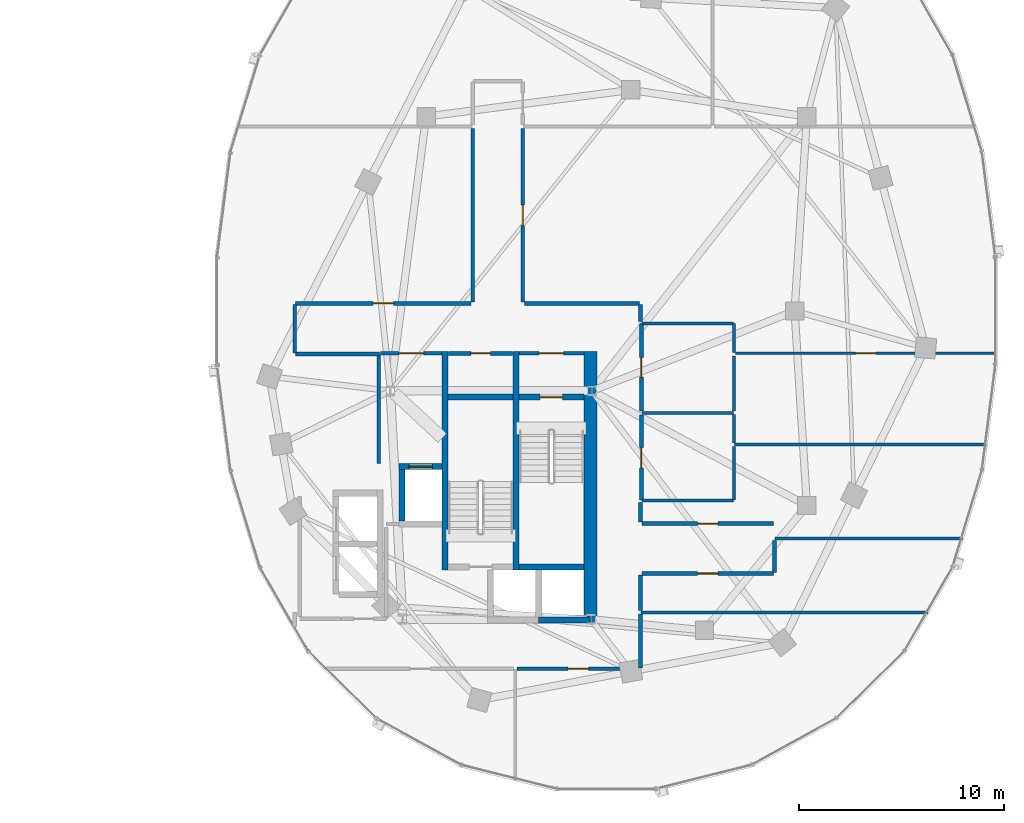
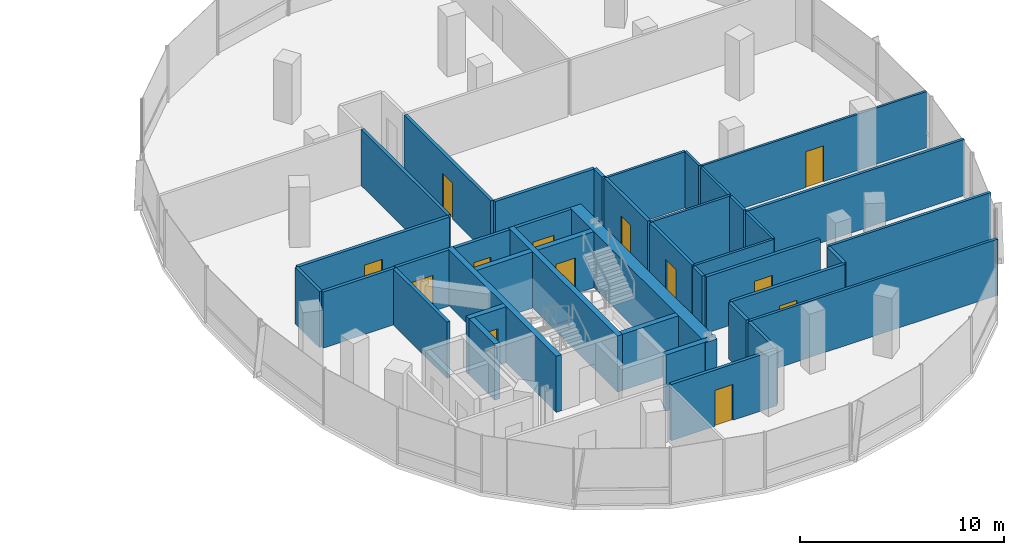
# One storey, part 14 of 22: 40 walls, 13 doors, 13 openings.
"""IFC4 building model written with IfcOpenShell, lengths in metres."""

from ifc_helpers import new_model, si_unit, direction, frame, frame_2d, origin, place, context, subcontext, project, spatial, rectangle, extrude, material, layer, layer_set, type_object, element, fill, save


model = new_model("IFC4")

# Units and contexts
model_context = context("Model", 3, precision=1e-05, world=origin(), true_north=direction((0.0, 1.0)))
body_context = subcontext(model_context, "Body", "Model", "MODEL_VIEW")
ifc_project = project(units=[si_unit("LENGTHUNIT", "METRE"), si_unit("AREAUNIT", "SQUARE_METRE"), si_unit("VOLUMEUNIT", "CUBIC_METRE"), si_unit("PLANEANGLEUNIT", "RADIAN"), si_unit("MASSUNIT", "GRAM", prefix="KILO"), si_unit("THERMODYNAMICTEMPERATUREUNIT", "KELVIN"), si_unit("POWERUNIT", "WATT")], contexts=[model_context])

# Site, building, storey
site_placement = place(None, origin())
site = spatial("IfcSite", under=ifc_project, at=site_placement, CompositionType="ELEMENT")
building_placement = place(site_placement, origin())
building = spatial("IfcBuilding", under=site, at=building_placement, Name="Cundina Bronze Exchange", CompositionType="ELEMENT")
storey_placement = place(building_placement, frame((0.0, 0.0, 147.60009765625)))
storey = spatial("IfcBuildingStorey", under=building, at=storey_placement, Name="L38", CompositionType="ELEMENT", Elevation=147.60009765625)

# Wall
ifc_material_1 = material(Name="Gypsum Fireboard Partition EI120")
ifc_layer_1 = layer(ifc_material_1, 0.179931640625, Name="Gypsum Fireboard Partition EI120")
ifc_layer_set_1 = layer_set([ifc_layer_1], Name="Gypsum Fireboard Partition EI120")
wall_type_1 = type_object("IfcWallType", Name="WL-COR-180", PredefinedType="PARTITIONING", material=ifc_layer_set_1)
wall_1_placement = place(storey_placement, frame((20.889892578125, -7.449951171875, 0.0), z_axis=(0.0, 0.0, 1.0), x_axis=(0.0, 1.0, 0.0)))
element("IfcWall", 1, at=wall_1_placement, inside=storey, type_object=wall_type_1, Name="L38 E Firefighting Lobby Side Wall", PredefinedType="PARTITIONING", context=body_context, shape_type="SweptSolid", body=[
    extrude(rectangle(XDim=5.300048828125, YDim=0.179931640625, at=frame_2d((2.64990234375, 0.0))), origin(), (0.0, 0.0, 1.0), 3.35986328125),
])

# Wall, opening, door
wall_2_placement = place(storey_placement, frame((20.97998046875, -2.06005859375, 0.0), z_axis=(0.0, 0.0, 1.0), x_axis=(1.0, 0.0, 0.0)))
wall_2 = element("IfcWall", 2, at=wall_2_placement, inside=storey, type_object=wall_type_1, Name="L38 E Firefighting Lobby Exit Wall", PredefinedType="PARTITIONING", context=body_context, shape_type="SweptSolid", body=[
    extrude(rectangle(XDim=3.0, YDim=0.179931640625, at=frame_2d((1.5, 0.0))), origin(), (0.0, 0.0, 1.0), 3.35986328125),
])
opening_1_placement = place(wall_2_placement, frame((0.89990234375, 0.0, 0.0)))
opening_1 = element("IfcOpeningElement", 3, at=opening_1_placement, cuts=wall_2, Name="Opening DF-01", PredefinedType="OPENING", context=body_context, shape_type="SweptSolid", body=[
    extrude(rectangle(XDim=1.199951171875, YDim=2.14990234375, at=frame_2d((0.60009765625, 1.074951171875))), frame((0.0, 0.099853515625, 0.0), z_axis=(0.0, -1.0, 0.0), x_axis=(1.0, 0.0, 0.0)), (0.0, 0.0, 1.0), 0.199951171875),
])
ifc_material_2 = material(Name="Steel ASTM A36 Painted", Category="steel")
door_type_1 = type_object("IfcDoorType", Name="DR-FFL-1200", OperationType="NOTDEFINED", PredefinedType="DOOR", material=ifc_material_2)
door_1_placement = place(opening_1_placement, origin())
door_1 = element("IfcDoor", 4, at=door_1_placement, inside=storey, type_object=door_type_1, Name="L38 E Firefighting Lobby Door", OperationType="SINGLE_SWING_LEFT", OverallHeight=2.14990234375, OverallWidth=1.199951171875, PredefinedType="DOOR", context=body_context, shape_type="SweptSolid", body=[
    extrude(rectangle(XDim=1.199951171875, YDim=2.14990234375, at=frame_2d((0.60009765625, 1.074951171875))), frame((0.0, 0.02490234375, 0.0), z_axis=(0.0, -1.0, 0.0), x_axis=(1.0, 0.0, 0.0)), (0.0, 0.0, 1.0), 0.050048828125),
])
fill(opening_1, door_1)

wall_3_placement = place(storey_placement, frame((27.739990234375, -2.06005859375, 0.0), z_axis=(0.0, 0.0, 1.0), x_axis=(1.0, 0.0, 0.0)))
wall_3 = element("IfcWall", 5, at=wall_3_placement, inside=storey, type_object=wall_type_1, Name="L38 E Stair Vestibule Exit Wall", PredefinedType="PARTITIONING", context=body_context, shape_type="SweptSolid", body=[
    extrude(rectangle(XDim=3.159912109375, YDim=0.179931640625, at=frame_2d((1.580078125, 0.0))), origin(), (0.0, 0.0, 1.0), 3.35986328125),
])
opening_2_placement = place(wall_3_placement, frame((0.97998046875, 0.0, 0.0)))
opening_2 = element("IfcOpeningElement", 6, at=opening_2_placement, cuts=wall_3, Name="Opening DF-01", PredefinedType="OPENING", context=body_context, shape_type="SweptSolid", body=[
    extrude(rectangle(XDim=1.199951171875, YDim=2.14990234375, at=frame_2d((0.60009765625, 1.074951171875))), frame((0.0, 0.099853515625, 0.0), z_axis=(0.0, -1.0, 0.0), x_axis=(1.0, 0.0, 0.0)), (0.0, 0.0, 1.0), 0.199951171875),
])
door_2_placement = place(opening_2_placement, origin())
door_2 = element("IfcDoor", 7, at=door_2_placement, inside=storey, type_object=door_type_1, Name="L38 E Stair Vestibule Door", OperationType="SINGLE_SWING_RIGHT", OverallHeight=2.14990234375, OverallWidth=1.199951171875, PredefinedType="DOOR", context=body_context, shape_type="SweptSolid", body=[
    extrude(rectangle(XDim=1.199951171875, YDim=2.14990234375, at=frame_2d((0.60009765625, 1.074951171875))), frame((0.0, 0.02490234375, 0.0), z_axis=(0.0, -1.0, 0.0), x_axis=(1.0, 0.0, 0.0)), (0.0, 0.0, 1.0), 0.050048828125),
])
fill(opening_2, door_2)

wall_4_placement = place(storey_placement, frame((24.300048828125, -2.070068359375, 0.0), z_axis=(0.0, 0.0, 1.0), x_axis=(1.0, 0.0, 0.0)))
wall_4 = element("IfcWall", 8, at=wall_4_placement, inside=storey, type_object=wall_type_1, Name="L38 Interior Partition 048", PredefinedType="PARTITIONING", context=body_context, shape_type="SweptSolid", body=[
    extrude(rectangle(XDim=3.119873046875, YDim=0.179931640625, at=frame_2d((1.56005859375, 0.0))), origin(), (0.0, 0.0, 1.0), 3.35986328125),
])
opening_3_placement = place(wall_4_placement, frame((1.0849609375, 0.0, 0.0)))
opening_3 = element("IfcOpeningElement", 9, at=opening_3_placement, cuts=wall_4, Name="Opening DW-01", PredefinedType="OPENING", context=body_context, shape_type="SweptSolid", body=[
    extrude(rectangle(XDim=0.949951171875, YDim=2.10009765625, at=frame_2d((0.47509765625, 1.050048828125))), frame((0.0, 0.099853515625, 0.0), z_axis=(0.0, -1.0, 0.0), x_axis=(1.0, 0.0, 0.0)), (0.0, 0.0, 1.0), 0.199951171875),
])
ifc_material_3 = material(Name="Solid Andean Oak Timber Grade A", Category="wood")
door_type_2 = type_object("IfcDoorType", Name="DR-WC-950", OperationType="NOTDEFINED", PredefinedType="DOOR", material=ifc_material_3)
door_3_placement = place(opening_3_placement, origin())
door_3 = element("IfcDoor", 10, at=door_3_placement, inside=storey, type_object=door_type_2, Name="L38 Interior Door 048", OperationType="SINGLE_SWING_RIGHT", OverallHeight=2.10009765625, OverallWidth=0.949951171875, PredefinedType="DOOR", context=body_context, shape_type="SweptSolid", body=[
    extrude(rectangle(XDim=0.949951171875, YDim=2.10009765625, at=frame_2d((0.47509765625, 1.050048828125))), frame((0.0, 0.02490234375, 0.0), z_axis=(0.0, -1.0, 0.0), x_axis=(1.0, 0.0, 0.0)), (0.0, 0.0, 1.0), 0.050048828125),
])
fill(opening_3, door_3)

wall_5_placement = place(storey_placement, frame((33.719970703125, -4.8798828125, 0.0), z_axis=(0.0, 0.0, 1.0), x_axis=(0.0, 1.0, 0.0)))
wall_5 = element("IfcWall", 11, at=wall_5_placement, inside=storey, type_object=wall_type_1, Name="L38 Interior Partition 056", PredefinedType="PARTITIONING", context=body_context, shape_type="SweptSolid", body=[
    extrude(rectangle(XDim=4.259765625, YDim=0.179931640625, at=frame_2d((2.1298828125, 0.0))), origin(), (0.0, 0.0, 1.0), 3.35986328125),
])
opening_4_placement = place(wall_5_placement, frame((1.655029296875, 0.0, 0.0)))
opening_4 = element("IfcOpeningElement", 12, at=opening_4_placement, cuts=wall_5, Name="Opening DW-01", PredefinedType="OPENING", context=body_context, shape_type="SweptSolid", body=[
    extrude(rectangle(XDim=0.949951171875, YDim=2.10009765625, at=frame_2d((0.47509765625, 1.050048828125))), frame((0.0, 0.099853515625, 0.0), z_axis=(0.0, -1.0, 0.0), x_axis=(1.0, 0.0, 0.0)), (0.0, 0.0, 1.0), 0.199951171875),
])
door_4_placement = place(opening_4_placement, origin())
door_4 = element("IfcDoor", 13, at=door_4_placement, inside=storey, type_object=door_type_2, Name="L38 Interior Door 056", OperationType="SINGLE_SWING_RIGHT", OverallHeight=2.10009765625, OverallWidth=0.949951171875, PredefinedType="DOOR", context=body_context, shape_type="SweptSolid", body=[
    extrude(rectangle(XDim=0.949951171875, YDim=2.10009765625, at=frame_2d((0.47509765625, 1.050048828125))), frame((0.0, 0.02490234375, 0.0), z_axis=(0.0, -1.0, 0.0), x_axis=(1.0, 0.0, 0.0)), (0.0, 0.0, 1.0), 0.050048828125),
])
fill(opening_4, door_4)

wall_6_placement = place(storey_placement, frame((33.719970703125, -9.239990234375, 0.0), z_axis=(0.0, 0.0, 1.0), x_axis=(0.0, 1.0, 0.0)))
wall_6 = element("IfcWall", 14, at=wall_6_placement, inside=storey, type_object=wall_type_1, Name="L38 Interior Partition 057", PredefinedType="PARTITIONING", context=body_context, shape_type="SweptSolid", body=[
    extrude(rectangle(XDim=4.159912109375, YDim=0.179931640625, at=frame_2d((2.080078125, 0.0))), origin(), (0.0, 0.0, 1.0), 3.35986328125),
])
opening_5_placement = place(wall_6_placement, frame((1.580078125, 0.0, 0.0)))
opening_5 = element("IfcOpeningElement", 15, at=opening_5_placement, cuts=wall_6, Name="Opening DO-01", PredefinedType="OPENING", context=body_context, shape_type="SweptSolid", body=[
    extrude(rectangle(XDim=1.0, YDim=2.14990234375, at=frame_2d((0.5, 1.074951171875))), frame((0.0, 0.099853515625, 0.0), z_axis=(0.0, -1.0, 0.0), x_axis=(1.0, 0.0, 0.0)), (0.0, 0.0, 1.0), 0.199951171875),
])
door_type_3 = type_object("IfcDoorType", Name="DR-OFF-1000", OperationType="NOTDEFINED", PredefinedType="DOOR", material=ifc_material_3)
door_5_placement = place(opening_5_placement, origin())
door_5 = element("IfcDoor", 16, at=door_5_placement, inside=storey, type_object=door_type_3, Name="L38 Interior Door 057", OperationType="SINGLE_SWING_RIGHT", OverallHeight=2.14990234375, OverallWidth=1.0, PredefinedType="DOOR", context=body_context, shape_type="SweptSolid", body=[
    extrude(rectangle(XDim=1.0, YDim=2.14990234375, at=frame_2d((0.5, 1.074951171875))), frame((0.0, 0.02490234375, 0.0), z_axis=(0.0, -1.0, 0.0), x_axis=(1.0, 0.0, 0.0)), (0.0, 0.0, 1.0), 0.050048828125),
])
fill(opening_5, door_5)

wall_7_placement = place(storey_placement, frame((27.64990234375, -17.469970703125, 0.0), z_axis=(0.0, 0.0, 1.0), x_axis=(1.0, 0.0, 0.0)))
wall_7 = element("IfcWall", 17, at=wall_7_placement, inside=storey, type_object=wall_type_1, Name="L38 Interior Partition 066", PredefinedType="PARTITIONING", context=body_context, shape_type="SweptSolid", body=[
    extrude(rectangle(XDim=5.978515625, YDim=0.179931640625, at=frame_2d((2.9892578125, 0.0))), origin(), (0.0, 0.0, 1.0), 3.35986328125),
])
opening_6_placement = place(wall_7_placement, frame((2.4892578125, 0.0, 0.0)))
opening_6 = element("IfcOpeningElement", 18, at=opening_6_placement, cuts=wall_7, Name="Opening DO-01", PredefinedType="OPENING", context=body_context, shape_type="SweptSolid", body=[
    extrude(rectangle(XDim=1.0, YDim=2.14990234375, at=frame_2d((0.5, 1.074951171875))), frame((0.0, 0.099853515625, 0.0), z_axis=(0.0, -1.0, 0.0), x_axis=(1.0, 0.0, 0.0)), (0.0, 0.0, 1.0), 0.199951171875),
])
door_6_placement = place(opening_6_placement, origin())
door_6 = element("IfcDoor", 19, at=door_6_placement, inside=storey, type_object=door_type_3, Name="L38 Interior Door 066", OperationType="SINGLE_SWING_LEFT", OverallHeight=2.14990234375, OverallWidth=1.0, PredefinedType="DOOR", context=body_context, shape_type="SweptSolid", body=[
    extrude(rectangle(XDim=1.0, YDim=2.14990234375, at=frame_2d((0.5, 1.074951171875))), frame((0.0, 0.02490234375, 0.0), z_axis=(0.0, -1.0, 0.0), x_axis=(1.0, 0.0, 0.0)), (0.0, 0.0, 1.0), 0.050048828125),
])
fill(opening_6, door_6)

# Wall
wall_8_placement = place(storey_placement, frame((33.669921875, -17.428466796875, 0.0), z_axis=(0.0, 0.0, 1.0), x_axis=(0.0, 1.0, 0.0)))
element("IfcWall", 20, at=wall_8_placement, inside=storey, type_object=wall_type_1, Name="L38 Interior Partition 067", PredefinedType="PARTITIONING", context=body_context, shape_type="SweptSolid", body=[
    extrude(rectangle(XDim=2.618408203125, YDim=0.179931640625, at=frame_2d((1.30908203125, 0.0))), origin(), (0.0, 0.0, 1.0), 3.35986328125),
])

# Wall, opening, door
wall_9_placement = place(storey_placement, frame((33.75, -12.820068359375, 0.0), z_axis=(0.0, 0.0, 1.0), x_axis=(1.0, 0.0, 0.0)))
wall_9 = element("IfcWall", 21, at=wall_9_placement, inside=storey, type_object=wall_type_1, Name="L38 Interior Partition 068", PredefinedType="PARTITIONING", context=body_context, shape_type="SweptSolid", body=[
    extrude(rectangle(XDim=6.428466796875, YDim=0.179931640625, at=frame_2d((3.21435546875, 0.0))), origin(), (0.0, 0.0, 1.0), 3.35986328125),
])
opening_7_placement = place(wall_9_placement, frame((2.714111328125, 0.0, 0.0)))
opening_7 = element("IfcOpeningElement", 22, at=opening_7_placement, cuts=wall_9, Name="Opening DO-01", PredefinedType="OPENING", context=body_context, shape_type="SweptSolid", body=[
    extrude(rectangle(XDim=1.0, YDim=2.14990234375, at=frame_2d((0.5, 1.074951171875))), frame((0.0, 0.099853515625, 0.0), z_axis=(0.0, -1.0, 0.0), x_axis=(1.0, 0.0, 0.0)), (0.0, 0.0, 1.0), 0.199951171875),
])
door_7_placement = place(opening_7_placement, origin())
door_7 = element("IfcDoor", 23, at=door_7_placement, inside=storey, type_object=door_type_3, Name="L38 Interior Door 068", OperationType="SINGLE_SWING_LEFT", OverallHeight=2.14990234375, OverallWidth=1.0, PredefinedType="DOOR", context=body_context, shape_type="SweptSolid", body=[
    extrude(rectangle(XDim=1.0, YDim=2.14990234375, at=frame_2d((0.5, 1.074951171875))), frame((0.0, 0.02490234375, 0.0), z_axis=(0.0, -1.0, 0.0), x_axis=(1.0, 0.0, 0.0)), (0.0, 0.0, 1.0), 0.050048828125),
])
fill(opening_7, door_7)

# Walls
wall_10_placement = place(storey_placement, frame((33.669921875, -14.6298828125, 0.0), z_axis=(0.0, 0.0, 1.0), x_axis=(0.0, 1.0, 0.0)))
element("IfcWall", 24, at=wall_10_placement, inside=storey, type_object=wall_type_1, Name="L38 Interior Partition 069", PredefinedType="PARTITIONING", context=body_context, shape_type="SweptSolid", body=[
    extrude(rectangle(XDim=1.72998046875, YDim=0.179931640625, at=frame_2d((0.864990234375, 0.0))), origin(), (0.0, 0.0, 1.0), 3.35986328125),
])
wall_11_placement = place(storey_placement, frame((40.219970703125, -12.778564453125, 0.0), z_axis=(0.0, 0.0, 1.0), x_axis=(0.0, 1.0, 0.0)))
element("IfcWall", 25, at=wall_11_placement, inside=storey, type_object=wall_type_1, Name="L38 Interior Partition 070", PredefinedType="PARTITIONING", context=body_context, shape_type="SweptSolid", body=[
    extrude(rectangle(XDim=1.568603515625, YDim=0.179931640625, at=frame_2d((0.7841796875, 0.0))), origin(), (0.0, 0.0, 1.0), 3.35986328125),
])

# Wall, opening, door
wall_12_placement = place(storey_placement, frame((40.178466796875, -10.3798828125, 0.0), z_axis=(0.0, 0.0, 1.0), x_axis=(-1.0, 0.0, 0.0)))
wall_12 = element("IfcWall", 26, at=wall_12_placement, inside=storey, type_object=wall_type_1, Name="L38 Interior Partition 071", PredefinedType="PARTITIONING", context=body_context, shape_type="SweptSolid", body=[
    extrude(rectangle(XDim=6.428466796875, YDim=0.179931640625, at=frame_2d((3.21435546875, 0.0))), origin(), (0.0, 0.0, 1.0), 3.35986328125),
])
opening_8_placement = place(wall_12_placement, frame((2.714111328125, 0.0, 0.0)))
opening_8 = element("IfcOpeningElement", 27, at=opening_8_placement, cuts=wall_12, Name="Opening DO-01", PredefinedType="OPENING", context=body_context, shape_type="SweptSolid", body=[
    extrude(rectangle(XDim=1.0, YDim=2.14990234375, at=frame_2d((0.5, 1.074951171875))), frame((0.0, 0.099853515625, 0.0), z_axis=(0.0, -1.0, 0.0), x_axis=(1.0, 0.0, 0.0)), (0.0, 0.0, 1.0), 0.199951171875),
])
door_8_placement = place(opening_8_placement, origin())
door_8 = element("IfcDoor", 28, at=door_8_placement, inside=storey, type_object=door_type_3, Name="L38 Interior Door 071", OperationType="SINGLE_SWING_RIGHT", OverallHeight=2.14990234375, OverallWidth=1.0, PredefinedType="DOOR", context=body_context, shape_type="SweptSolid", body=[
    extrude(rectangle(XDim=1.0, YDim=2.14990234375, at=frame_2d((0.5, 1.074951171875))), frame((0.0, 0.02490234375, 0.0), z_axis=(0.0, -1.0, 0.0), x_axis=(1.0, 0.0, 0.0)), (0.0, 0.0, 1.0), 0.050048828125),
])
fill(opening_8, door_8)

# Wall
wall_13_placement = place(storey_placement, frame((33.669921875, -10.300048828125, 0.0), z_axis=(0.0, 0.0, 1.0), x_axis=(0.0, 1.0, 0.0)))
element("IfcWall", 29, at=wall_13_placement, inside=storey, type_object=wall_type_1, Name="L38 Interior Partition 072", PredefinedType="PARTITIONING", context=body_context, shape_type="SweptSolid", body=[
    extrude(rectangle(XDim=0.94873046875, YDim=0.179931640625, at=frame_2d((0.474365234375, 0.0))), origin(), (0.0, 0.0, 1.0), 3.35986328125),
])

# Wall, opening, door
wall_14_placement = place(storey_placement, frame((25.39990234375, 0.3701171875, 0.0), z_axis=(0.0, 0.0, 1.0), x_axis=(-1.0, 0.0, 0.0)))
wall_14 = element("IfcWall", 30, at=wall_14_placement, inside=storey, type_object=wall_type_1, Name="L38 Interior Partition 073", PredefinedType="PARTITIONING", context=body_context, shape_type="SweptSolid", body=[
    extrude(rectangle(XDim=8.578369140625, YDim=0.179931640625, at=frame_2d((4.2890625, 0.0))), origin(), (0.0, 0.0, 1.0), 3.35986328125),
])
opening_9_placement = place(wall_14_placement, frame((3.789306640625, 0.0, 0.0)))
opening_9 = element("IfcOpeningElement", 31, at=opening_9_placement, cuts=wall_14, Name="Opening DO-01", PredefinedType="OPENING", context=body_context, shape_type="SweptSolid", body=[
    extrude(rectangle(XDim=1.0, YDim=2.14990234375, at=frame_2d((0.5, 1.074951171875))), frame((0.0, 0.099853515625, 0.0), z_axis=(0.0, -1.0, 0.0), x_axis=(1.0, 0.0, 0.0)), (0.0, 0.0, 1.0), 0.199951171875),
])
door_9_placement = place(opening_9_placement, origin())
door_9 = element("IfcDoor", 32, at=door_9_placement, inside=storey, type_object=door_type_3, Name="L38 Interior Door 073", OperationType="SINGLE_SWING_RIGHT", OverallHeight=2.14990234375, OverallWidth=1.0, PredefinedType="DOOR", context=body_context, shape_type="SweptSolid", body=[
    extrude(rectangle(XDim=1.0, YDim=2.14990234375, at=frame_2d((0.5, 1.074951171875))), frame((0.0, 0.02490234375, 0.0), z_axis=(0.0, -1.0, 0.0), x_axis=(1.0, 0.0, 0.0)), (0.0, 0.0, 1.0), 0.050048828125),
])
fill(opening_9, door_9)

# Walls
wall_15_placement = place(storey_placement, frame((25.47998046875, 8.919921875, 0.0), z_axis=(0.0, 0.0, 1.0), x_axis=(0.0, -1.0, 0.0)))
element("IfcWall", 33, at=wall_15_placement, inside=storey, type_object=wall_type_1, Name="L38 Interior Partition 074", PredefinedType="PARTITIONING", context=body_context, shape_type="SweptSolid", body=[
    extrude(rectangle(XDim=8.469970703125, YDim=0.179931640625, at=frame_2d((4.23486328125, 0.0))), origin(), (0.0, 0.0, 1.0), 3.35986328125),
])
wall_16_placement = place(storey_placement, frame((16.821533203125, -2.10009765625, 0.0), z_axis=(0.0, 0.0, 1.0), x_axis=(1.0, 0.0, 0.0)))
element("IfcWall", 34, at=wall_16_placement, inside=storey, type_object=wall_type_1, Name="L38 Interior Partition 075", PredefinedType="PARTITIONING", context=body_context, shape_type="SweptSolid", body=[
    extrude(rectangle(XDim=4.098388671875, YDim=0.179931640625, at=frame_2d((2.04931640625, 0.0))), origin(), (0.0, 0.0, 1.0), 3.35986328125),
])
wall_17_placement = place(storey_placement, frame((16.780029296875, 0.32861328125, 0.0), z_axis=(0.0, 0.0, 1.0), x_axis=(0.0, -1.0, 0.0)))
element("IfcWall", 35, at=wall_17_placement, inside=storey, type_object=wall_type_1, Name="L38 Interior Partition 076", PredefinedType="PARTITIONING", context=body_context, shape_type="SweptSolid", body=[
    extrude(rectangle(XDim=2.38720703125, YDim=0.179931640625, at=frame_2d((1.193603515625, 0.0))), origin(), (0.0, 0.0, 1.0), 3.35986328125),
])

# Wall, opening, door
wall_18_placement = place(storey_placement, frame((27.919921875, 0.449951171875, 0.0), z_axis=(0.0, 0.0, 1.0), x_axis=(0.0, 1.0, 0.0)))
wall_18 = element("IfcWall", 36, at=wall_18_placement, inside=storey, type_object=wall_type_1, Name="L38 Interior Partition 078", PredefinedType="PARTITIONING", context=body_context, shape_type="SweptSolid", body=[
    extrude(rectangle(XDim=8.469970703125, YDim=0.179931640625, at=frame_2d((4.23486328125, 0.0))), origin(), (0.0, 0.0, 1.0), 3.35986328125),
])
opening_10_placement = place(wall_18_placement, frame((3.735107421875, 0.0, 0.0)))
opening_10 = element("IfcOpeningElement", 37, at=opening_10_placement, cuts=wall_18, Name="Opening DO-01", PredefinedType="OPENING", context=body_context, shape_type="SweptSolid", body=[
    extrude(rectangle(XDim=1.0, YDim=2.14990234375, at=frame_2d((0.5, 1.074951171875))), frame((0.0, 0.099853515625, 0.0), z_axis=(0.0, -1.0, 0.0), x_axis=(1.0, 0.0, 0.0)), (0.0, 0.0, 1.0), 0.199951171875),
])
door_10_placement = place(opening_10_placement, origin())
door_10 = element("IfcDoor", 38, at=door_10_placement, inside=storey, type_object=door_type_3, Name="L38 Interior Door 078", OperationType="SINGLE_SWING_RIGHT", OverallHeight=2.14990234375, OverallWidth=1.0, PredefinedType="DOOR", context=body_context, shape_type="SweptSolid", body=[
    extrude(rectangle(XDim=1.0, YDim=2.14990234375, at=frame_2d((0.5, 1.074951171875))), frame((0.0, 0.02490234375, 0.0), z_axis=(0.0, -1.0, 0.0), x_axis=(1.0, 0.0, 0.0)), (0.0, 0.0, 1.0), 0.050048828125),
])
fill(opening_10, door_10)

# Walls
wall_19_placement = place(storey_placement, frame((33.62841796875, 0.3701171875, 0.0), z_axis=(0.0, 0.0, 1.0), x_axis=(-1.0, 0.0, 0.0)))
element("IfcWall", 39, at=wall_19_placement, inside=storey, type_object=wall_type_1, Name="L38 Interior Partition 079", PredefinedType="PARTITIONING", context=body_context, shape_type="SweptSolid", body=[
    extrude(rectangle(XDim=5.62841796875, YDim=0.179931640625, at=frame_2d((2.814208984375, 0.0))), origin(), (0.0, 0.0, 1.0), 3.35986328125),
])
wall_20_placement = place(storey_placement, frame((33.669921875, -0.508544921875, 0.0), z_axis=(0.0, 0.0, 1.0), x_axis=(0.0, 1.0, 0.0)))
element("IfcWall", 40, at=wall_20_placement, inside=storey, type_object=wall_type_1, Name="L38 Interior Partition 080", PredefinedType="PARTITIONING", context=body_context, shape_type="SweptSolid", body=[
    extrude(rectangle(XDim=0.837158203125, YDim=0.179931640625, at=frame_2d((0.41845703125, 0.0))), origin(), (0.0, 0.0, 1.0), 3.35986328125),
])
ifc_material_4 = material(Name="Concrete C50/60", Category="concrete")
ifc_layer_2 = layer(ifc_material_4, 0.64990234375, Name="Concrete C50/60", Category="concrete")
ifc_layer_set_2 = layer_set([ifc_layer_2], Name="Concrete C50/60")
wall_type_2 = type_object("IfcWallType", Name="WL-CORE-650", PredefinedType="SHEAR", material=ifc_layer_set_2)
wall_21_placement = place(storey_placement, frame((31.22509765625, -15.300048828125, 0.0), z_axis=(0.0, 0.0, 1.0), x_axis=(0.0, 1.0, 0.0)))
element("IfcWall", 41, at=wall_21_placement, inside=storey, type_object=wall_type_2, Name="L38 E Primary Core Shear Spine Wall", PredefinedType="SHEAR", context=body_context, shape_type="SweptSolid", body=[
    extrude(rectangle(XDim=13.330078125, YDim=0.64990234375, at=frame_2d((6.6650390625, 0.0))), origin(), (0.0, 0.0, 1.0), 3.35986328125),
])

# Wall, opening, door
ifc_material_5 = material(Name="Gypsum Acoustic Partition EI60")
ifc_layer_3 = layer(ifc_material_5, 0.125, Name="Gypsum Acoustic Partition EI60")
ifc_layer_set_3 = layer_set([ifc_layer_3], Name="Gypsum Acoustic Partition EI60")
wall_type_3 = type_object("IfcWallType", Name="WL-OFF-125", PredefinedType="PARTITIONING", material=ifc_layer_set_3)
wall_22_placement = place(storey_placement, frame((38.320068359375, -2.070068359375, 0.0), z_axis=(0.0, 0.0, 1.0), x_axis=(1.0, 0.0, 0.0)))
wall_22 = element("IfcWall", 42, at=wall_22_placement, inside=storey, type_object=wall_type_3, Name="L38 Interior Partition 084", PredefinedType="PARTITIONING", context=body_context, shape_type="SweptSolid", body=[
    extrude(rectangle(XDim=12.701904296875, YDim=0.125, at=frame_2d((6.35107421875, 0.0))), origin(), (0.0, 0.0, 1.0), 3.35986328125),
])
opening_11_placement = place(wall_22_placement, frame((5.85107421875, 0.0, 0.0)))
opening_11 = element("IfcOpeningElement", 43, at=opening_11_placement, cuts=wall_22, Name="Opening DO-01", PredefinedType="OPENING", context=body_context, shape_type="SweptSolid", body=[
    extrude(rectangle(XDim=1.0, YDim=2.14990234375, at=frame_2d((0.5, 1.074951171875))), frame((0.0, 0.072509765625, 0.0), z_axis=(0.0, -1.0, 0.0), x_axis=(1.0, 0.0, 0.0)), (0.0, 0.0, 1.0), 0.14501953125),
])
door_11_placement = place(opening_11_placement, origin())
door_11 = element("IfcDoor", 44, at=door_11_placement, inside=storey, type_object=door_type_3, Name="L38 Interior Door 084", OperationType="SINGLE_SWING_LEFT", OverallHeight=2.14990234375, OverallWidth=1.0, PredefinedType="DOOR", context=body_context, shape_type="SweptSolid", body=[
    extrude(rectangle(XDim=1.0, YDim=2.14990234375, at=frame_2d((0.5, 1.074951171875))), frame((0.0, 0.02490234375, 0.0), z_axis=(0.0, -1.0, 0.0), x_axis=(1.0, 0.0, 0.0)), (0.0, 0.0, 1.0), 0.050048828125),
])
fill(opening_11, door_11)

# Walls
ifc_layer_4 = layer(ifc_material_4, 0.300048828125, Name="Concrete C50/60", Category="concrete")
ifc_layer_set_4 = layer_set([ifc_layer_4], Name="Concrete C50/60")
wall_type_4 = type_object("IfcWallType", Name="WL-SHFT-300", PredefinedType="SHEAR", material=ifc_layer_set_4)
for number, where, z_axis, x_axis, name in (
    (45, (27.590087890625, -12.64990234375, 0.0), (0.0, 0.0, 1.0), (0.0, 1.0, 0.0), "L38 E Stair Shaft Dividing Shear Wall"),
    (46, (24.1298828125, -12.64990234375, 0.0), (0.0, 0.0, 1.0), (0.0, 1.0, 0.0), "L38 E Stair 2 East Shear Wall"),
):
    element("IfcWall", number, at=place(storey_placement, frame(where, z_axis=z_axis, x_axis=x_axis)), inside=storey, type_object=wall_type_4, Name=name, PredefinedType="SHEAR", context=body_context, shape_type="SweptSolid", body=[
        extrude(rectangle(XDim=10.679931640625, YDim=0.300048828125, at=frame_2d((5.33984375, 0.0))), origin(), (0.0, 0.0, 1.0), 3.35986328125),
    ])

# Wall, opening, door
wall_23_placement = place(storey_placement, frame((27.739990234375, -4.199951171875, 0.0), z_axis=(0.0, 0.0, 1.0), x_axis=(1.0, 0.0, 0.0)))
wall_23 = element("IfcWall", 47, at=wall_23_placement, inside=storey, type_object=wall_type_4, Name="L38 Stair E1 Landing Wall", PredefinedType="SHEAR", context=body_context, shape_type="SweptSolid", body=[
    extrude(rectangle(XDim=3.159912109375, YDim=0.300048828125, at=frame_2d((1.580078125, 0.0))), origin(), (0.0, 0.0, 1.0), 3.35986328125),
])
opening_12_placement = place(wall_23_placement, frame((1.030029296875, 0.0, 0.0)))
opening_12 = element("IfcOpeningElement", 48, at=opening_12_placement, cuts=wall_23, Name="Opening DS-01", PredefinedType="OPENING", context=body_context, shape_type="SweptSolid", body=[
    extrude(rectangle(XDim=1.10009765625, YDim=2.14990234375, at=frame_2d((0.550048828125, 1.074951171875))), frame((0.0, 0.159912109375, 0.0), z_axis=(0.0, -1.0, 0.0), x_axis=(1.0, 0.0, 0.0)), (0.0, 0.0, 1.0), 0.320068359375),
])
door_type_4 = type_object("IfcDoorType", Name="DR-STR-1100", OperationType="NOTDEFINED", PredefinedType="DOOR", material=ifc_material_2)
door_12_placement = place(opening_12_placement, origin())
door_12 = element("IfcDoor", 49, at=door_12_placement, inside=storey, type_object=door_type_4, Name="L38 Smokeproof Stair E1 Door", OperationType="SINGLE_SWING_LEFT", OverallHeight=2.14990234375, OverallWidth=1.10009765625, PredefinedType="DOOR", context=body_context, shape_type="SweptSolid", body=[
    extrude(rectangle(XDim=1.10009765625, YDim=2.14990234375, at=frame_2d((0.550048828125, 1.074951171875))), frame((0.0, 0.02490234375, 0.0), z_axis=(0.0, -1.0, 0.0), x_axis=(1.0, 0.0, 0.0)), (0.0, 0.0, 1.0), 0.050048828125),
])
fill(opening_12, door_12)

# Walls
for number, where, z_axis, x_axis, name in (
    (50, (27.739990234375, -12.5, 0.0), (0.0, 0.0, 1.0), (1.0, 0.0, 0.0), "L38 Stair E1 Far Shaft Wall"),
    (51, (24.280029296875, -4.199951171875, 0.0), (0.0, 0.0, 1.0), (1.0, 0.0, 0.0), "L38 Stair E2 Far Shaft Wall"),
):
    element("IfcWall", number, at=place(storey_placement, frame(where, z_axis=z_axis, x_axis=x_axis)), inside=storey, type_object=wall_type_4, Name=name, PredefinedType="SHEAR", context=body_context, shape_type="SweptSolid", body=[
        extrude(rectangle(XDim=3.159912109375, YDim=0.300048828125, at=frame_2d((1.580078125, 0.0))), origin(), (0.0, 0.0, 1.0), 3.35986328125),
    ])

# Wall, opening, door
wall_24_placement = place(storey_placement, frame((21.8798828125, -7.60009765625, 0.0), z_axis=(0.0, 0.0, 1.0), x_axis=(1.0, 0.0, 0.0)))
wall_24 = element("IfcWall", 52, at=wall_24_placement, inside=storey, type_object=wall_type_4, Name="L38 FFL-E Hoistway Front Wall", PredefinedType="SHEAR", context=body_context, shape_type="SweptSolid", body=[
    extrude(rectangle(XDim=2.10009765625, YDim=0.300048828125, at=frame_2d((1.050048828125, 0.0))), origin(), (0.0, 0.0, 1.0), 3.35986328125),
])
opening_13_placement = place(wall_24_placement, frame((0.47509765625, 0.0, 0.0)))
opening_13 = element("IfcOpeningElement", 53, at=opening_13_placement, cuts=wall_24, Name="Opening LD-01", PredefinedType="OPENING", context=body_context, shape_type="SweptSolid", body=[
    extrude(rectangle(XDim=1.14990234375, YDim=2.199951171875, at=frame_2d((0.574951171875, 1.10009765625))), frame((0.0, 0.159912109375, 0.0), z_axis=(0.0, -1.0, 0.0), x_axis=(1.0, 0.0, 0.0)), (0.0, 0.0, 1.0), 0.320068359375),
])
door_type_5 = type_object("IfcDoorType", Name="DR-LND-1150", OperationType="NOTDEFINED", PredefinedType="TRAPDOOR", material=ifc_material_2)
door_13_placement = place(opening_13_placement, origin())
door_13 = element("IfcDoor", 54, at=door_13_placement, inside=storey, type_object=door_type_5, Name="L38 FFL-E Sliding Landing Door", OperationType="SLIDING_TO_LEFT", OverallHeight=2.199951171875, OverallWidth=1.14990234375, PredefinedType="TRAPDOOR", context=body_context, shape_type="SweptSolid", body=[
    extrude(rectangle(XDim=1.14990234375, YDim=2.199951171875, at=frame_2d((0.574951171875, 1.10009765625))), frame((0.0, 0.02490234375, 0.0), z_axis=(0.0, -1.0, 0.0), x_axis=(1.0, 0.0, 0.0)), (0.0, 0.0, 1.0), 0.050048828125),
])
fill(opening_13, door_13)

# Walls
for number, where, z_axis, x_axis, name in (
    (55, (22.030029296875, -10.25, 0.0), (0.0, 0.0, 1.0), (0.0, 1.0, 0.0), "L38 FFL-E Hoistway Side Wall"),
    (56, (28.699951171875, -15.10009765625, 0.0), (0.0, 0.0, 1.0), (1.0, 0.0, 0.0), "L38 PH-E1 Hoistway Front Wall"),
):
    element("IfcWall", number, at=place(storey_placement, frame(where, z_axis=z_axis, x_axis=x_axis)), inside=storey, type_object=wall_type_4, Name=name, PredefinedType="SHEAR", context=body_context, shape_type="SweptSolid", body=[
        extrude(rectangle(XDim=2.5, YDim=0.300048828125, at=frame_2d((1.25, 0.0))), origin(), (0.0, 0.0, 1.0), 3.35986328125),
    ])
ifc_layer_5 = layer(ifc_material_5, 0.14990234375, Name="Gypsum Acoustic Partition EI60")
ifc_layer_set_5 = layer_set([ifc_layer_5], Name="Gypsum Acoustic Partition EI60")
wall_type_5 = type_object("IfcWallType", Name="WL-TEN-150", PredefinedType="PARTITIONING", material=ifc_layer_set_5)
wall_25_placement = place(storey_placement, frame((38.27001953125, -6.52001953125, 0.0), z_axis=(0.0, 0.0, 1.0), x_axis=(1.0, 0.0, 0.0)))
element("IfcWall", 57, at=wall_25_placement, inside=storey, type_object=wall_type_5, Name="L38 Interior Partition 061", PredefinedType="PARTITIONING", context=body_context, shape_type="SweptSolid", body=[
    extrude(rectangle(XDim=12.307373046875, YDim=0.14990234375, at=frame_2d((6.15380859375, 0.0))), origin(), (0.0, 0.0, 1.0), 3.35986328125),
])
wall_26_placement = place(storey_placement, frame((40.25, -11.1201171875, 0.0), z_axis=(0.0, 0.0, 1.0), x_axis=(1.0, 0.0, 0.0)))
element("IfcWall", 58, at=wall_26_placement, inside=storey, type_object=wall_type_5, Name="L38 Interior Partition 062", PredefinedType="PARTITIONING", context=body_context, shape_type="SweptSolid", body=[
    extrude(rectangle(XDim=9.156005859375, YDim=0.14990234375, at=frame_2d((4.578125, 0.0))), origin(), (0.0, 0.0, 1.0), 3.35986328125),
])
wall_27_placement = place(storey_placement, frame((33.699951171875, -14.719970703125, 0.0), z_axis=(0.0, 0.0, 1.0), x_axis=(1.0, 0.0, 0.0)))
element("IfcWall", 59, at=wall_27_placement, inside=storey, type_object=wall_type_5, Name="L38 Interior Partition 063", PredefinedType="PARTITIONING", context=body_context, shape_type="SweptSolid", body=[
    extrude(rectangle(XDim=14.02294921875, YDim=0.14990234375, at=frame_2d((7.011474609375, 0.0))), origin(), (0.0, 0.0, 1.0), 3.35986328125),
])
ifc_material_6 = material(Name="Moisture-Resistant Masonry Block Grade M15", Category="masonry")
ifc_layer_6 = layer(ifc_material_6, 0.139892578125, Name="Moisture-Resistant Masonry Block Grade M15", Category="masonry")
ifc_layer_set_6 = layer_set([ifc_layer_6], Name="Moisture-Resistant Masonry Block Grade M15")
wall_type_6 = type_object("IfcWallType", Name="WL-WET-140", PredefinedType="PARTITIONING", material=ifc_layer_set_6)
wall_28_placement = place(storey_placement, frame((38.239990234375, -9.239990234375, 0.0), z_axis=(0.0, 0.0, 1.0), x_axis=(0.0, 1.0, 0.0)))
element("IfcWall", 60, at=wall_28_placement, inside=storey, type_object=wall_type_6, Name="L38 Interior Partition 049", PredefinedType="PARTITIONING", context=body_context, shape_type="SweptSolid", body=[
    extrude(rectangle(XDim=2.635009765625, YDim=0.139892578125, at=frame_2d((1.3173828125, 0.0))), origin(), (0.0, 0.0, 1.0), 3.35986328125),
])
wall_29_placement = place(storey_placement, frame((38.239990234375, -6.43505859375, 0.0), z_axis=(0.0, 0.0, 1.0), x_axis=(0.0, 1.0, 0.0)))
element("IfcWall", 61, at=wall_29_placement, inside=storey, type_object=wall_type_6, Name="L38 Interior Partition 050", PredefinedType="PARTITIONING", context=body_context, shape_type="SweptSolid", body=[
    extrude(rectangle(XDim=1.3701171875, YDim=0.139892578125, at=frame_2d((0.68505859375, 0.0))), origin(), (0.0, 0.0, 1.0), 3.35986328125),
])
wall_30_placement = place(storey_placement, frame((38.239990234375, -4.89501953125, 0.0), z_axis=(0.0, 0.0, 1.0), x_axis=(0.0, 1.0, 0.0)))
element("IfcWall", 62, at=wall_30_placement, inside=storey, type_object=wall_type_6, Name="L38 Interior Partition 051", PredefinedType="PARTITIONING", context=body_context, shape_type="SweptSolid", body=[
    extrude(rectangle(XDim=2.68994140625, YDim=0.139892578125, at=frame_2d((1.344970703125, 0.0))), origin(), (0.0, 0.0, 1.0), 3.35986328125),
])
wall_31_placement = place(storey_placement, frame((38.239990234375, -2.034912109375, 0.0), z_axis=(0.0, 0.0, 1.0), x_axis=(0.0, 1.0, 0.0)))
element("IfcWall", 63, at=wall_31_placement, inside=storey, type_object=wall_type_6, Name="L38 Interior Partition 052", PredefinedType="PARTITIONING", context=body_context, shape_type="SweptSolid", body=[
    extrude(rectangle(XDim=1.414794921875, YDim=0.139892578125, at=frame_2d((0.70751953125, 0.0))), origin(), (0.0, 0.0, 1.0), 3.35986328125),
])
for number, where, z_axis, x_axis, name in (
    (64, (33.739990234375, -0.60009765625, 0.0), (0.0, 0.0, 1.0), (1.0, 0.0, 0.0), "L38 Interior Partition 053"),
    (65, (33.739990234375, -4.97998046875, 0.0), (0.0, 0.0, 1.0), (1.0, 0.0, 0.0), "L38 Interior Partition 054"),
    (66, (33.739990234375, -9.260009765625, 0.0), (0.0, 0.0, 1.0), (1.0, 0.0, 0.0), "L38 Interior Partition 055"),
):
    element("IfcWall", number, at=place(storey_placement, frame(where, z_axis=z_axis, x_axis=x_axis)), inside=storey, type_object=wall_type_6, Name=name, PredefinedType="PARTITIONING", context=body_context, shape_type="SweptSolid", body=[
        extrude(rectangle(XDim=4.47998046875, YDim=0.139892578125, at=frame_2d((2.239990234375, 0.0))), origin(), (0.0, 0.0, 1.0), 3.35986328125),
    ])

save(model, "model.ifc")
